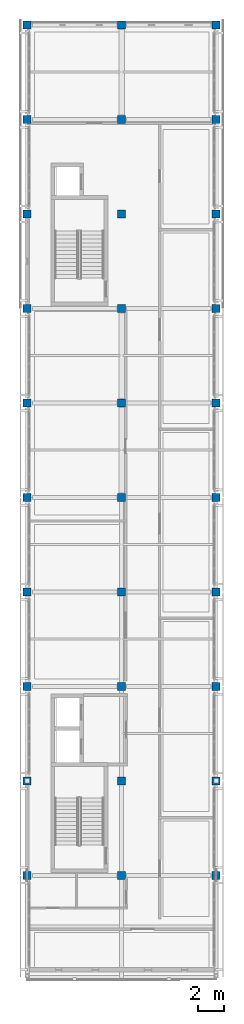
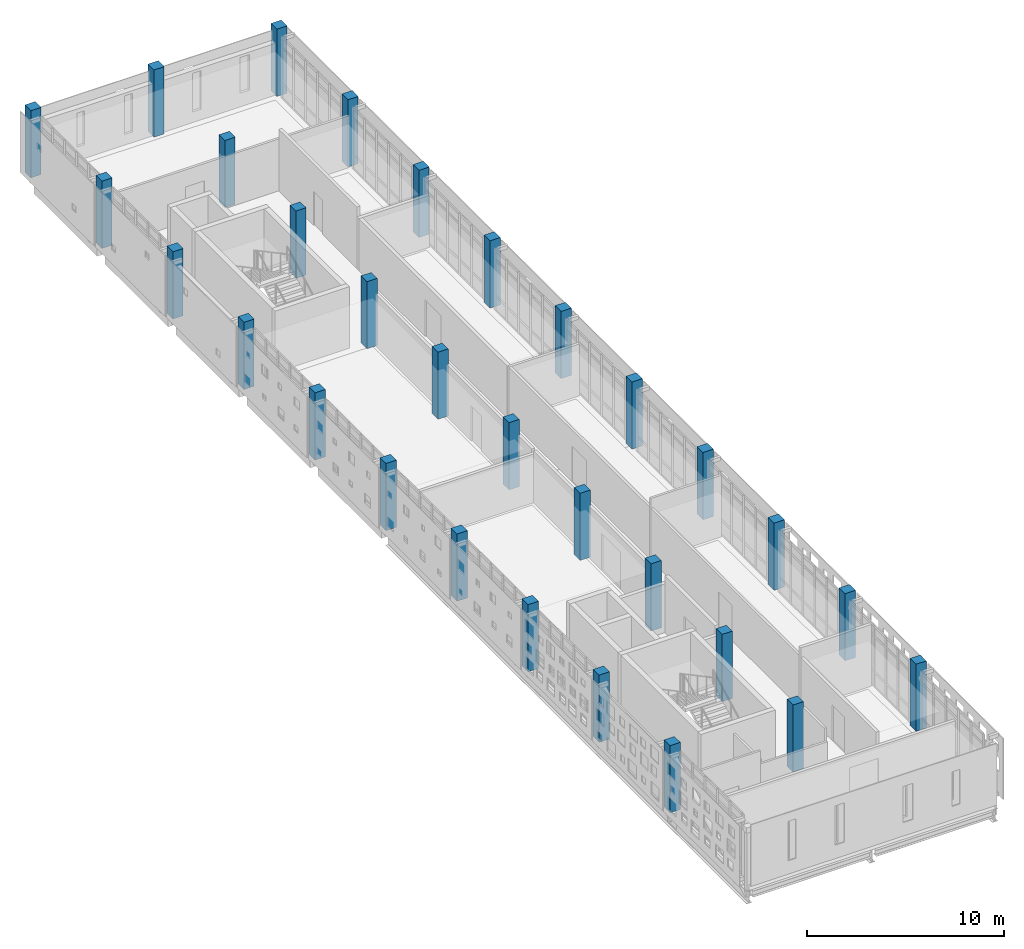
# One storey, part 1 of 21: 30 columns.
"""IFC4 building model written with IfcOpenShell, lengths in metres."""

from ifc_helpers import new_model, si_unit, direction, frame, origin, origin_2d, place, context, subcontext, project, spatial, rectangle, extrude, material, material_profile, profile_set, type_object, element, save


model = new_model("IFC4")

# Units and contexts
model_context = context("Model", 3, precision=1e-05, world=origin(), true_north=direction((0.0, 1.0)))
body_context = subcontext(model_context, "Body", "Model", "MODEL_VIEW")
ifc_project = project(units=[si_unit("LENGTHUNIT", "METRE"), si_unit("AREAUNIT", "SQUARE_METRE"), si_unit("VOLUMEUNIT", "CUBIC_METRE"), si_unit("PLANEANGLEUNIT", "RADIAN"), si_unit("MASSUNIT", "GRAM", prefix="KILO")], contexts=[model_context])

# Site, building, storey
site_placement = place(None, origin())
site = spatial("IfcSite", under=ifc_project, at=site_placement, CompositionType="ELEMENT")
building_placement = place(site_placement, origin())
building = spatial("IfcBuilding", under=site, at=building_placement, Name="Valkovuoma Quantum and Materials Research Institute", CompositionType="ELEMENT")
storey_placement = place(building_placement, frame((0.0, 0.0, 29.760009765625)))
storey = spatial("IfcBuildingStorey", under=building, at=storey_placement, Name="L07", CompositionType="ELEMENT", Elevation=29.760009765625)

# Columns
ifc_material = material(Name="Concrete C40/50", Category="concrete")
ifc_material_profile = material_profile(ifc_material, rectangle(XDim=0.60009765625, YDim=0.60009765625, at=origin_2d()), Name="Concrete C40/50")
ifc_profile_set = profile_set([ifc_material_profile], Name="Concrete C40/50")
column_type = type_object("IfcColumnType", Name="Col-C-RC600", PredefinedType="COLUMN", material=ifc_profile_set)
for number, where, z_axis, x_axis, name in (
    (1, (0.0, 28.800048828125, 0.0), (0.0, 0.0, 1.0), (1.0, 0.0, 0.0), "L07 column 01E"),
    (2, (0.0, 36.0, 0.0), (0.0, 0.0, 1.0), (1.0, 0.0, 0.0), "L07 column 01F"),
    (3, (0.0, 43.199951171875, 0.0), (0.0, 0.0, 1.0), (1.0, 0.0, 0.0), "L07 column 01G"),
    (4, (0.0, 50.39990234375, 0.0), (0.0, 0.0, 1.0), (1.0, 0.0, 0.0), "L07 column 01H"),
    (5, (0.0, 57.60009765625, 0.0), (0.0, 0.0, 1.0), (1.0, 0.0, 0.0), "L07 column 01J"),
    (6, (0.0, 64.800048828125, 0.0), (0.0, 0.0, 1.0), (1.0, 0.0, 0.0), "L07 column 01K"),
    (7, (0.0, 72.0, 0.0), (0.0, 0.0, 1.0), (1.0, 0.0, 0.0), "L07 column 01L"),
    (8, (0.0, 79.199951171875, 0.0), (0.0, 0.0, 1.0), (1.0, 0.0, 0.0), "L07 column 01M"),
    (9, (0.0, 86.39990234375, 0.0), (0.0, 0.0, 1.0), (1.0, 0.0, 0.0), "L07 column 01N"),
    (10, (0.0, 93.60009765625, 0.0), (0.0, 0.0, 1.0), (1.0, 0.0, 0.0), "L07 column 01P"),
    (11, (7.199951171875, 28.800048828125, 0.0), (0.0, 0.0, 1.0), (1.0, 0.0, 0.0), "L07 column 02E"),
    (12, (7.199951171875, 36.0, 0.0), (0.0, 0.0, 1.0), (1.0, 0.0, 0.0), "L07 column 02F"),
    (13, (7.199951171875, 43.199951171875, 0.0), (0.0, 0.0, 1.0), (1.0, 0.0, 0.0), "L07 column 02G"),
    (14, (7.199951171875, 50.39990234375, 0.0), (0.0, 0.0, 1.0), (1.0, 0.0, 0.0), "L07 column 02H"),
    (15, (7.199951171875, 57.60009765625, 0.0), (0.0, 0.0, 1.0), (1.0, 0.0, 0.0), "L07 column 02J"),
    (16, (7.199951171875, 64.800048828125, 0.0), (0.0, 0.0, 1.0), (1.0, 0.0, 0.0), "L07 column 02K"),
    (17, (7.199951171875, 72.0, 0.0), (0.0, 0.0, 1.0), (1.0, 0.0, 0.0), "L07 column 02L"),
    (18, (7.199951171875, 79.199951171875, 0.0), (0.0, 0.0, 1.0), (1.0, 0.0, 0.0), "L07 column 02M"),
    (19, (7.199951171875, 86.39990234375, 0.0), (0.0, 0.0, 1.0), (1.0, 0.0, 0.0), "L07 column 02N"),
    (20, (7.199951171875, 93.60009765625, 0.0), (0.0, 0.0, 1.0), (1.0, 0.0, 0.0), "L07 column 02P"),
    (21, (14.39990234375, 28.800048828125, 0.0), (0.0, 0.0, 1.0), (1.0, 0.0, 0.0), "L07 column 03E"),
    (22, (14.39990234375, 36.0, 0.0), (0.0, 0.0, 1.0), (1.0, 0.0, 0.0), "L07 column 03F"),
    (23, (14.39990234375, 43.199951171875, 0.0), (0.0, 0.0, 1.0), (1.0, 0.0, 0.0), "L07 column 03G"),
    (24, (14.39990234375, 50.39990234375, 0.0), (0.0, 0.0, 1.0), (1.0, 0.0, 0.0), "L07 column 03H"),
    (25, (14.39990234375, 57.60009765625, 0.0), (0.0, 0.0, 1.0), (1.0, 0.0, 0.0), "L07 column 03J"),
    (26, (14.39990234375, 64.800048828125, 0.0), (0.0, 0.0, 1.0), (1.0, 0.0, 0.0), "L07 column 03K"),
    (27, (14.39990234375, 72.0, 0.0), (0.0, 0.0, 1.0), (1.0, 0.0, 0.0), "L07 column 03L"),
    (28, (14.39990234375, 79.199951171875, 0.0), (0.0, 0.0, 1.0), (1.0, 0.0, 0.0), "L07 column 03M"),
    (29, (14.39990234375, 86.39990234375, 0.0), (0.0, 0.0, 1.0), (1.0, 0.0, 0.0), "L07 column 03N"),
    (30, (14.39990234375, 93.60009765625, 0.0), (0.0, 0.0, 1.0), (1.0, 0.0, 0.0), "L07 column 03P"),
):
    element("IfcColumn", number, at=place(storey_placement, frame(where, z_axis=z_axis, x_axis=x_axis)), inside=storey, type_object=column_type, Name=name, PredefinedType="COLUMN", context=body_context, shape_type="SweptSolid", body=[
        extrude(rectangle(XDim=0.60009765625, YDim=0.60009765625, at=origin_2d()), origin(), (0.0, 0.0, 1.0), 4.159912109375),
    ])

save(model, "model.ifc")
